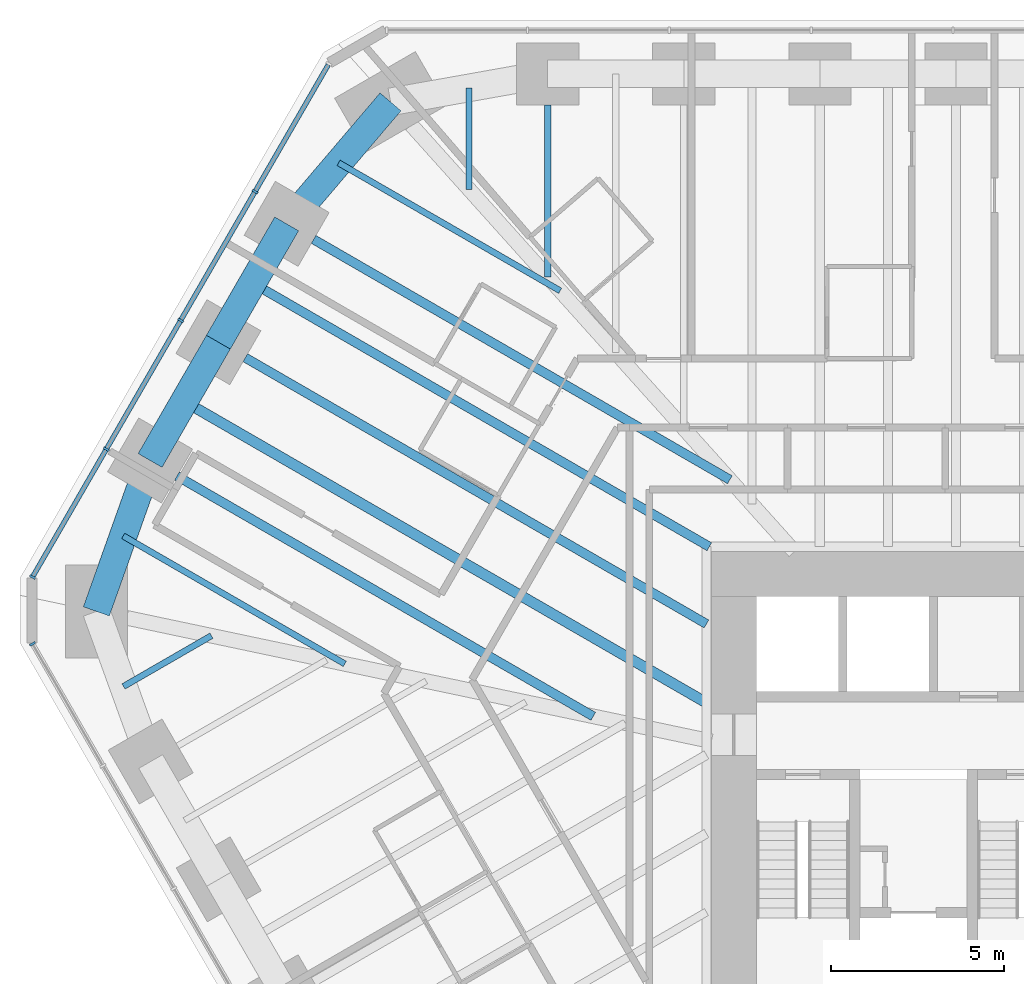
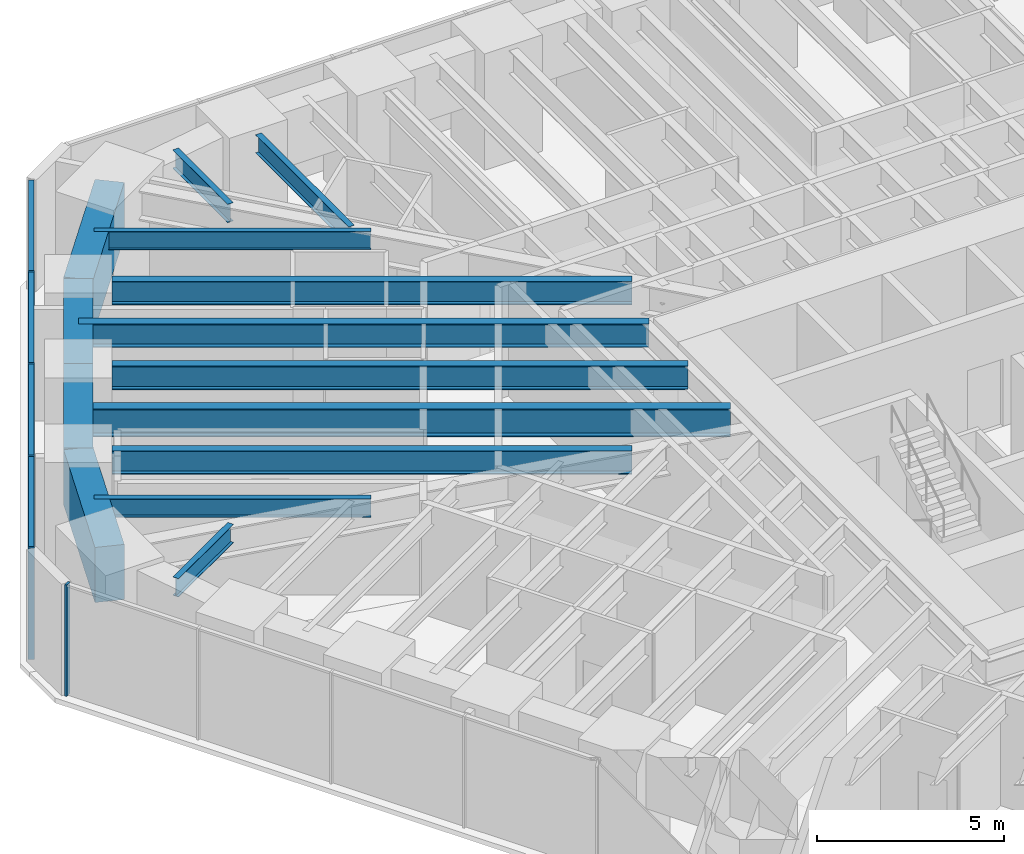
# One storey, part 7 of 17: 14 beams, 9 members, 2 elements without a shape of their own.
"""IFC4 building model written with IfcOpenShell, lengths in metres."""

from ifc_helpers import new_model, si_unit, direction, frame, origin, origin_2d, place, context, subcontext, project, spatial, rectangle, i_section, extrude, material, material_profile, profile_set, type_object, element, aggregate, save


model = new_model("IFC4")

# Units and contexts
model_context = context("Model", 3, precision=1e-05, world=origin(), true_north=direction((0.0, 1.0)))
body_context = subcontext(model_context, "Body", "Model", "MODEL_VIEW")
ifc_project = project(units=[si_unit("LENGTHUNIT", "METRE"), si_unit("AREAUNIT", "SQUARE_METRE"), si_unit("VOLUMEUNIT", "CUBIC_METRE"), si_unit("PLANEANGLEUNIT", "RADIAN"), si_unit("MASSUNIT", "GRAM", prefix="KILO")], contexts=[model_context])

# Site, building, storey
site_placement = place(None, origin())
site = spatial("IfcSite", under=ifc_project, at=site_placement, CompositionType="ELEMENT")
building_placement = place(site_placement, origin())
building = spatial("IfcBuilding", under=site, at=building_placement, Name="Sandreach Pilgrim Tower", CompositionType="ELEMENT")
storey_placement = place(building_placement, frame((0.0, 0.0, 123.39990234375)))
storey = spatial("IfcBuildingStorey", under=building, at=storey_placement, Name="L30", CompositionType="ELEMENT", Elevation=123.39990234375)

# Curtain wall, member
ifc_material_1 = material(Name="Aluminium framed curtain wall", Category="aluminium")
curtain_wall_type = type_object("IfcCurtainWallType", Name="Hotel tower curtain wall", PredefinedType="NOTDEFINED", material=ifc_material_1)
curtain_wall_1_placement = place(storey_placement, origin())
curtain_wall_1 = element("IfcCurtainWall", 1, at=curtain_wall_1_placement, inside=storey, type_object=curtain_wall_type, Name="CW-2 L30 SW", PredefinedType="NOTDEFINED")
ifc_material_2 = material(Name="Aluminium extrusion", Category="aluminium")
ifc_material_profile_1 = material_profile(ifc_material_2, rectangle(XDim=0.06494140625, YDim=0.179931640625, at=origin_2d()), Name="CW-2M 65X180")
ifc_profile_set_1 = profile_set([ifc_material_profile_1], Name="Aluminium extrusion")
member_type_1 = type_object("IfcMemberType", Name="CW-2 mullion", PredefinedType="MULLION", material=ifc_profile_set_1)
member_1_placement = place(storey_placement, frame((-28.70458984375, 4.730224609375, 0.0), z_axis=(0.0, 0.0, 1.0), x_axis=(-0.5, 0.866025403784, 0.0)))
member_1 = element("IfcMember", 2, at=member_1_placement, type_object=member_type_1, Name="CW-2 mullion 10", PredefinedType="MULLION", context=body_context, shape_type="SweptSolid", body=[
    extrude(rectangle(XDim=0.06494140625, YDim=0.179931640625, at=origin_2d()), origin(), (0.0, 0.0, 1.0), 3.64013671875),
])
aggregate(curtain_wall_1, [member_1])

# Curtain wall, members
curtain_wall_2_placement = place(storey_placement, origin())
curtain_wall_2 = element("IfcCurtainWall", 3, at=curtain_wall_2_placement, inside=storey, type_object=curtain_wall_type, Name="CW-2 L30 NW", PredefinedType="NOTDEFINED")
member_2_placement = place(storey_placement, frame((-28.70458984375, 6.66650390625, 0.0), z_axis=(0.0, 0.0, 1.0), x_axis=(0.5, 0.866025403784, 0.0)))
member_2 = element("IfcMember", 4, at=member_2_placement, type_object=member_type_1, Name="CW-2 mullion 1", PredefinedType="MULLION", context=body_context, shape_type="SweptSolid", body=[
    extrude(rectangle(XDim=0.06494140625, YDim=0.179931640625, at=origin_2d()), origin(), (0.0, 0.0, 1.0), 3.64013671875),
])
member_3_placement = place(storey_placement, frame((-26.568115234375, 10.3671875, 0.0), z_axis=(0.0, 0.0, 1.0), x_axis=(0.5, 0.866025403784, 0.0)))
member_3 = element("IfcMember", 5, at=member_3_placement, type_object=member_type_1, Name="CW-2 mullion 2", PredefinedType="MULLION", context=body_context, shape_type="SweptSolid", body=[
    extrude(rectangle(XDim=0.06494140625, YDim=0.179931640625, at=origin_2d()), origin(), (0.0, 0.0, 1.0), 3.64013671875),
])
member_4_placement = place(storey_placement, frame((-24.415283203125, 14.09619140625, 0.0), z_axis=(0.0, 0.0, 1.0), x_axis=(0.5, 0.866025403784, 0.0)))
member_4 = element("IfcMember", 6, at=member_4_placement, type_object=member_type_1, Name="CW-2 mullion 3", PredefinedType="MULLION", context=body_context, shape_type="SweptSolid", body=[
    extrude(rectangle(XDim=0.06494140625, YDim=0.179931640625, at=origin_2d()), origin(), (0.0, 0.0, 1.0), 3.64013671875),
])
member_5_placement = place(storey_placement, frame((-22.262451171875, 17.824951171875, 0.0), z_axis=(0.0, 0.0, 1.0), x_axis=(0.5, 0.866025403784, 0.0)))
member_5 = element("IfcMember", 7, at=member_5_placement, type_object=member_type_1, Name="CW-2 mullion 4", PredefinedType="MULLION", context=body_context, shape_type="SweptSolid", body=[
    extrude(rectangle(XDim=0.06494140625, YDim=0.179931640625, at=origin_2d()), origin(), (0.0, 0.0, 1.0), 3.64013671875),
])
ifc_material_3 = material(Name="Aluminium extrusion", Category="aluminium")
ifc_material_profile_2 = material_profile(ifc_material_3, rectangle(XDim=0.139892578125, YDim=0.070068359375, at=origin_2d()), Name="CW-2T 140X70")
ifc_profile_set_2 = profile_set([ifc_material_profile_2], Name="Aluminium extrusion")
member_type_2 = type_object("IfcMemberType", Name="CW-2 transom", PredefinedType="USERDEFINED", material=ifc_profile_set_2)
member_6_placement = place(storey_placement, frame((-28.6884765625, 6.69482421875, 3.60498046875), z_axis=(0.500038835258, 0.866002981077, 0.0), x_axis=(-0.866002981077, 0.500038835258, 0.0)))
member_6 = element("IfcMember", 8, at=member_6_placement, type_object=member_type_2, Name="CW-2 head transom 1", ObjectType="TRANSOM", PredefinedType="USERDEFINED", context=body_context, shape_type="SweptSolid", body=[
    extrude(rectangle(XDim=0.139892578125, YDim=0.070068359375, at=origin_2d()), origin(), (0.0, 0.0, 1.0), 4.208251953125),
])
member_7_placement = place(storey_placement, frame((-26.5517578125, 10.3955078125, 3.60498046875), z_axis=(0.500021471012, 0.866013007135, 0.0), x_axis=(-0.866013007135, 0.500021471012, 0.0)))
member_7 = element("IfcMember", 9, at=member_7_placement, type_object=member_type_2, Name="CW-2 head transom 2", ObjectType="TRANSOM", PredefinedType="USERDEFINED", context=body_context, shape_type="SweptSolid", body=[
    extrude(rectangle(XDim=0.139892578125, YDim=0.070068359375, at=origin_2d()), origin(), (0.0, 0.0, 1.0), 4.240478515625),
])
member_8_placement = place(storey_placement, frame((-24.39892578125, 14.124267578125, 3.60498046875), z_axis=(0.499996541496, 0.866027400544, 0.0), x_axis=(-0.866027400544, 0.499996541496, 0.0)))
member_8 = element("IfcMember", 10, at=member_8_placement, type_object=member_type_2, Name="CW-2 head transom 3", ObjectType="TRANSOM", PredefinedType="USERDEFINED", context=body_context, shape_type="SweptSolid", body=[
    extrude(rectangle(XDim=0.139892578125, YDim=0.070068359375, at=origin_2d()), origin(), (0.0, 0.0, 1.0), 4.24072265625),
])
member_9_placement = place(storey_placement, frame((-22.24609375, 17.85302734375, 3.60498046875), z_axis=(0.49997020258, 0.86604260665, 0.0), x_axis=(-0.86604260665, 0.49997020258, 0.0)))
member_9 = element("IfcMember", 11, at=member_9_placement, type_object=member_type_2, Name="CW-2 head transom 4", ObjectType="TRANSOM", PredefinedType="USERDEFINED", context=body_context, shape_type="SweptSolid", body=[
    extrude(rectangle(XDim=0.139892578125, YDim=0.070068359375, at=origin_2d()), origin(), (0.0, 0.0, 1.0), 4.208251953125),
])
aggregate(curtain_wall_2, [member_2, member_3, member_4, member_5, member_6, member_7, member_8, member_9])

# Beams
ifc_material_4 = material(Name="Steel ASTM A992 Grade 50", Category="steel")
ifc_material_profile_3 = material_profile(ifc_material_4, i_section(OverallWidth=0.1787109375, OverallDepth=0.60205078125, WebThickness=0.010986328125, FlangeThickness=0.014892578125, at=origin_2d()), Name="W24X62")
ifc_profile_set_3 = profile_set([ifc_material_profile_3], Name="Steel ASTM A992 Grade 50")
beam_type_1 = type_object("IfcBeamType", Name="Floor beam W24X62", PredefinedType="BEAM", material=ifc_profile_set_3)
beam_1_placement = place(storey_placement, frame((-13.789794921875, 20.333740234375, 3.339111328125), z_axis=(0.0, -1.0, 0.0), x_axis=(1.0, 0.0, 0.0)))
element("IfcBeam", 12, at=beam_1_placement, inside=storey, type_object=beam_type_1, Name="BM L30 F01", PredefinedType="BEAM", context=body_context, shape_type="SweptSolid", body=[
    extrude(i_section(OverallWidth=0.1787109375, OverallDepth=0.60205078125, WebThickness=0.010986328125, FlangeThickness=0.014892578125, at=origin_2d()), origin(), (0.0, 0.0, 1.0), 4.9765625),
])
beam_2_placement = place(storey_placement, frame((-26.070556640625, 3.498046875, 3.339111328125), z_axis=(0.866051374412, 0.499955014855, 0.0), x_axis=(-0.499955014855, 0.866051374412, 0.0)))
element("IfcBeam", 13, at=beam_2_placement, inside=storey, type_object=beam_type_1, Name="BM L30 FM34", PredefinedType="BEAM", context=body_context, shape_type="SweptSolid", body=[
    extrude(i_section(OverallWidth=0.1787109375, OverallDepth=0.60205078125, WebThickness=0.010986328125, FlangeThickness=0.014892578125, at=origin_2d()), origin(), (0.0, 0.0, 1.0), 2.938232421875),
])
for number, where, z_axis, x_axis, name in (
    (14, (-26.079345703125, 7.855712890625, 3.339111328125), (0.866025875064, -0.499999183719, 0.0), (0.499999183719, 0.866025875064, 0.0), "BM L30 FM35"),
    (15, (-19.8427734375, 18.65771484375, 3.339111328125), (0.866025875064, -0.499999183719, 0.0), (0.499999183719, 0.866025875064, 0.0), "BM L30 FM38"),
):
    element("IfcBeam", number, at=place(storey_placement, frame(where, z_axis=z_axis, x_axis=x_axis)), inside=storey, type_object=beam_type_1, Name=name, PredefinedType="BEAM", context=body_context, shape_type="SweptSolid", body=[
        extrude(i_section(OverallWidth=0.1787109375, OverallDepth=0.60205078125, WebThickness=0.010986328125, FlangeThickness=0.014892578125, at=origin_2d()), origin(), (0.0, 0.0, 1.0), 7.40771484375),
    ])
beam_3_placement = place(storey_placement, frame((-16.064697265625, 20.828857421875, 3.339111328125), z_axis=(0.0, -1.0, 0.0), x_axis=(1.0, 0.0, 0.0)))
element("IfcBeam", 16, at=beam_3_placement, inside=storey, type_object=beam_type_1, Name="BM L30 FM39", PredefinedType="BEAM", context=body_context, shape_type="SweptSolid", body=[
    extrude(i_section(OverallWidth=0.1787109375, OverallDepth=0.60205078125, WebThickness=0.010986328125, FlangeThickness=0.014892578125, at=origin_2d()), origin(), (0.0, 0.0, 1.0), 2.938232421875),
])
ifc_material_5 = material(Name="Steel ASTM A992 Grade 50", Category="steel")
ifc_material_profile_4 = material_profile(ifc_material_5, i_section(OverallWidth=0.2666015625, OverallDepth=0.761962890625, WebThickness=0.014404296875, FlangeThickness=0.021484375, at=origin_2d()), Name="W30X116")
ifc_profile_set_4 = profile_set([ifc_material_profile_4], Name="Steel ASTM A992 Grade 50")
beam_type_2 = type_object("IfcBeamType", Name="Floor beam W30X116", PredefinedType="BEAM", material=ifc_profile_set_4)
beam_4_placement = place(storey_placement, frame((-24.522216796875, 9.5908203125, 3.259033203125), z_axis=(0.866026649588, -0.499997842199, 0.0), x_axis=(0.499997842199, 0.866026649588, 0.0)))
element("IfcBeam", 17, at=beam_4_placement, inside=storey, type_object=beam_type_2, Name="BM L30 F36", PredefinedType="BEAM", context=body_context, shape_type="SweptSolid", body=[
    extrude(i_section(OverallWidth=0.2666015625, OverallDepth=0.761962890625, WebThickness=0.014404296875, FlangeThickness=0.021484375, at=origin_2d()), origin(), (0.0, 0.0, 1.0), 13.91552734375),
])
beam_5_placement = place(storey_placement, frame((-20.56689453125, 16.44140625, 3.259033203125), z_axis=(0.866022263426, -0.500005439221, 0.0), x_axis=(0.500005439221, 0.866022263426, 0.0)))
element("IfcBeam", 18, at=beam_5_placement, inside=storey, type_object=beam_type_2, Name="BM L30 F38", PredefinedType="BEAM", context=body_context, shape_type="SweptSolid", body=[
    extrude(i_section(OverallWidth=0.2666015625, OverallDepth=0.761962890625, WebThickness=0.014404296875, FlangeThickness=0.021484375, at=origin_2d()), origin(), (0.0, 0.0, 1.0), 13.915283203125),
])
ifc_material_6 = material(Name="Steel ASTM A992 Grade 50", Category="steel")
ifc_material_profile_5 = material_profile(ifc_material_6, i_section(OverallWidth=0.2666015625, OverallDepth=0.77978515625, WebThickness=0.0166015625, FlangeThickness=0.030029296875, at=origin_2d()), Name="W30X148")
ifc_profile_set_5 = profile_set([ifc_material_profile_5], Name="Steel ASTM A992 Grade 50")
beam_type_3 = type_object("IfcBeamType", Name="Floor beam W30X148", PredefinedType="BEAM", material=ifc_profile_set_5)
beam_6_placement = place(storey_placement, frame((-22.544677734375, 13.01611328125, 3.250244140625), z_axis=(0.866029203842, -0.49999341805, 0.0), x_axis=(0.49999341805, 0.866029203842, 0.0)))
element("IfcBeam", 19, at=beam_6_placement, inside=storey, type_object=beam_type_3, Name="BM L30 F37", PredefinedType="BEAM", context=body_context, shape_type="SweptSolid", body=[
    extrude(i_section(OverallWidth=0.2666015625, OverallDepth=0.77978515625, WebThickness=0.0166015625, FlangeThickness=0.030029296875, at=origin_2d()), origin(), (0.0, 0.0, 1.0), 15.416748046875),
])
beam_7_placement = place(storey_placement, frame((-22.335205078125, 15.1787109375, 3.250244140625), z_axis=(0.866028773314, -0.499994163758, 0.0), x_axis=(0.499994163758, 0.866028773314, 0.0)))
element("IfcBeam", 20, at=beam_7_placement, inside=storey, type_object=beam_type_3, Name="BM L30 FM37", PredefinedType="BEAM", context=body_context, shape_type="SweptSolid", body=[
    extrude(i_section(OverallWidth=0.2666015625, OverallDepth=0.77978515625, WebThickness=0.0166015625, FlangeThickness=0.030029296875, at=origin_2d()), origin(), (0.0, 0.0, 1.0), 15.270751953125),
])
ifc_material_7 = material(Name="Steel ASTM A992 Grade 50", Category="steel")
ifc_material_profile_6 = material_profile(ifc_material_7, i_section(OverallWidth=0.3046875, OverallDepth=0.914306640625, WebThickness=0.0166015625, FlangeThickness=0.02587890625, at=origin_2d()), Name="W36X160")
ifc_profile_set_6 = profile_set([ifc_material_profile_6], Name="Steel ASTM A992 Grade 50")
beam_type_4 = type_object("IfcBeamType", Name="Floor beam W36X160", PredefinedType="BEAM", material=ifc_profile_set_6)
beam_8_placement = place(storey_placement, frame((-24.312744140625, 11.75341796875, 3.182861328125), z_axis=(0.866023737483, -0.500002886107, 0.0), x_axis=(0.500002886107, 0.866023737483, 0.0)))
element("IfcBeam", 21, at=beam_8_placement, inside=storey, type_object=beam_type_4, Name="BM L30 FM36", PredefinedType="BEAM", context=body_context, shape_type="SweptSolid", body=[
    extrude(i_section(OverallWidth=0.3046875, OverallDepth=0.914306640625, WebThickness=0.0166015625, FlangeThickness=0.02587890625, at=origin_2d()), origin(), (0.0, 0.0, 1.0), 17.45849609375),
])
ifc_material_8 = material(Name="Concrete 10000 psi", Category="concrete")
ifc_material_profile_7 = material_profile(ifc_material_8, rectangle(XDim=0.800048828125, YDim=1.800048828125, at=origin_2d()), Name="RC800X1800")
ifc_profile_set_7 = profile_set([ifc_material_profile_7], Name="Concrete 10000 psi")
beam_type_5 = type_object("IfcBeamType", Name="Spandrel beam RC800X1800", PredefinedType="SPANDREL", material=ifc_profile_set_7)
beam_9_placement = place(storey_placement, frame((-26.857177734375, 5.67041015625, 2.739990234375), z_axis=(0.335346041399, 0.942095023083, 0.0), x_axis=(-0.942095023083, 0.335346041399, 0.0)))
element("IfcBeam", 22, at=beam_9_placement, inside=storey, type_object=beam_type_5, Name="BM L30 SP35", PredefinedType="SPANDREL", context=body_context, shape_type="SweptSolid", body=[
    extrude(rectangle(XDim=0.800048828125, YDim=1.800048828125, at=origin_2d()), origin(), (0.0, 0.0, 1.0), 4.638916015625),
])
for number, where, z_axis, x_axis, name in (
    (23, (-25.301513671875, 10.040771484375, 2.739990234375), (0.499989616998, 0.866031398331, 0.0), (-0.866031398331, 0.499989616998, 0.0), "BM L30 SP36"),
    (24, (-23.323974609375, 13.466064453125, 2.739990234375), (0.499989616998, 0.866031398331, 0.0), (-0.866031398331, 0.499989616998, 0.0), "BM L30 SP37"),
):
    element("IfcBeam", number, at=place(storey_placement, frame(where, z_axis=z_axis, x_axis=x_axis)), inside=storey, type_object=beam_type_5, Name=name, PredefinedType="SPANDREL", context=body_context, shape_type="SweptSolid", body=[
        extrude(rectangle(XDim=0.800048828125, YDim=1.800048828125, at=origin_2d()), origin(), (0.0, 0.0, 1.0), 3.955078125),
    ])
beam_10_placement = place(storey_placement, frame((-21.346435546875, 16.891357421875, 2.739990234375), z_axis=(0.648208888384, 0.761462564425, 0.0), x_axis=(-0.761462564425, 0.648208888384, 0.0)))
element("IfcBeam", 25, at=beam_10_placement, inside=storey, type_object=beam_type_5, Name="BM L30 SP38", PredefinedType="SPANDREL", context=body_context, shape_type="SweptSolid", body=[
    extrude(rectangle(XDim=0.800048828125, YDim=1.800048828125, at=origin_2d()), origin(), (0.0, 0.0, 1.0), 4.63916015625),
])

save(model, "model.ifc")
